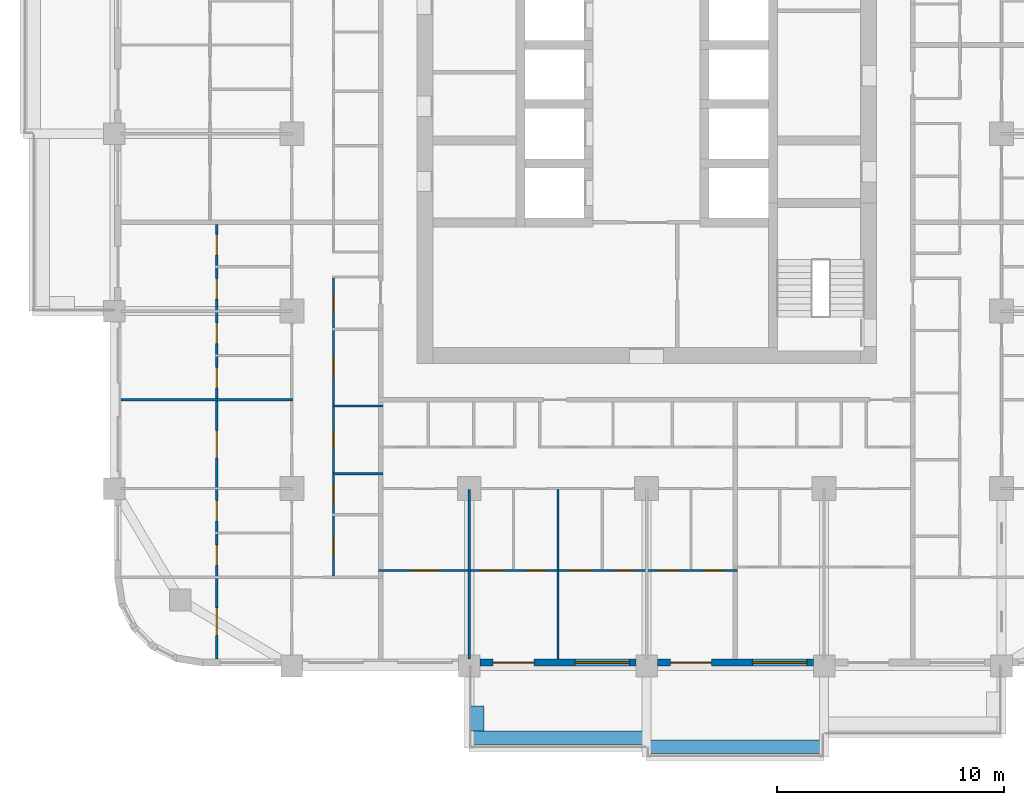
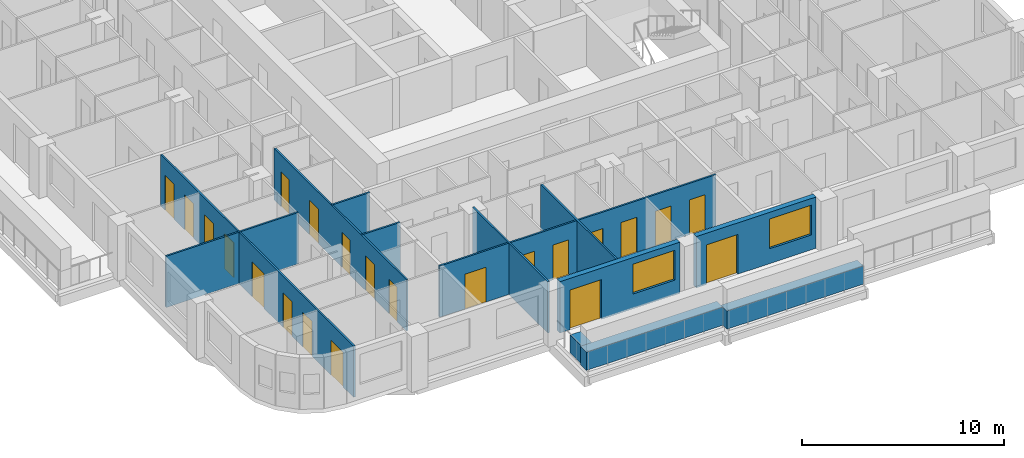
# One storey, part 3 of 17: 22 doors, 13 walls, 2 windows, 24 openings.
"""IFC4 building model written with IfcOpenShell, lengths in metres."""

from ifc_helpers import new_model, si_unit, direction, frame, frame_2d, origin, place, context, subcontext, project, spatial, rectangle, extrude, material, layer, layer_set, type_object, element, fill, save


model = new_model("IFC4")

# Units and contexts
model_context = context("Model", 3, precision=1e-05, world=origin(), true_north=direction((0.0, 1.0)))
body_context = subcontext(model_context, "Body", "Model", "MODEL_VIEW")
ifc_project = project(units=[si_unit("LENGTHUNIT", "METRE"), si_unit("AREAUNIT", "SQUARE_METRE"), si_unit("VOLUMEUNIT", "CUBIC_METRE"), si_unit("PLANEANGLEUNIT", "RADIAN"), si_unit("MASSUNIT", "GRAM", prefix="KILO")], contexts=[model_context])

# Site, building, storey
site_placement = place(None, origin())
site = spatial("IfcSite", under=ifc_project, at=site_placement, CompositionType="ELEMENT")
building_placement = place(site_placement, origin())
building = spatial("IfcBuilding", under=site, at=building_placement, Name="Ludao Terraces", CompositionType="ELEMENT")
storey_placement = place(building_placement, frame((0.0, 0.0, 92.0)))
storey = spatial("IfcBuildingStorey", under=building, at=storey_placement, Name="L25", CompositionType="ELEMENT", Elevation=92.0)

# Walls
ifc_material_1 = material(Name="Concrete C40", Category="concrete")
ifc_layer_1 = layer(ifc_material_1, 0.60009765625)
ifc_layer_set_1 = layer_set([ifc_layer_1], Name="ENV Planter trough 600")
wall_type_1 = type_object("IfcWallType", Name="ENV Planter trough 600", PredefinedType="USERDEFINED", material=ifc_layer_set_1)
wall_1_placement = place(storey_placement, frame((77.199951171875, 38.449951171875, 0.0), z_axis=(0.0, 0.0, 1.0), x_axis=(1.0, 0.0, 0.0)))
element("IfcWall", 1, at=wall_1_placement, inside=storey, type_object=wall_type_1, Name="PL-L25-S2", ObjectType="PLANTER", PredefinedType="USERDEFINED", context=body_context, shape_type="SweptSolid", body=[
    extrude(rectangle(XDim=7.800048828125, YDim=0.60009765625, at=frame_2d((3.89990234375, 0.0))), origin(), (0.0, 0.0, 1.0), 1.10009765625),
])
wall_2_placement = place(storey_placement, frame((77.550048828125, 38.75, 0.0), z_axis=(0.0, 0.0, 1.0), x_axis=(0.0, 1.0, 0.0)))
element("IfcWall", 2, at=wall_2_placement, inside=storey, type_object=wall_type_1, Name="PL-L25-S2-SA", ObjectType="PLANTER", PredefinedType="USERDEFINED", context=body_context, shape_type="SweptSolid", body=[
    extrude(rectangle(XDim=1.10009765625, YDim=0.60009765625, at=frame_2d((0.550048828125, 0.0))), origin(), (0.0, 0.0, 1.0), 1.10009765625),
])
wall_3_placement = place(storey_placement, frame((85.0, 38.050048828125, 0.0), z_axis=(0.0, 0.0, 1.0), x_axis=(1.0, 0.0, 0.0)))
element("IfcWall", 3, at=wall_3_placement, inside=storey, type_object=wall_type_1, Name="PL-L25-S3", ObjectType="PLANTER", PredefinedType="USERDEFINED", context=body_context, shape_type="SweptSolid", body=[
    extrude(rectangle(XDim=7.800048828125, YDim=0.60009765625, at=frame_2d((3.89990234375, 0.0))), origin(), (0.0, 0.0, 1.0), 1.10009765625),
])

# Wall, openings, door, window
ifc_material_2 = material(Name="Granite cladding", Category="masonry")
ifc_layer_2 = layer(ifc_material_2, 0.0400390625, Category="stone")
ifc_material_3 = material(Name="Mineral wool")
ifc_layer_3 = layer(ifc_material_3, 0.06005859375)
ifc_layer_4 = layer(ifc_material_1, 0.199951171875, Category="concrete")
ifc_layer_set_2 = layer_set([ifc_layer_2, ifc_layer_3, ifc_layer_4], Name="ENV Stone-clad wall 300")
wall_type_2 = type_object("IfcWallType", Name="ENV Stone-clad wall 300", PredefinedType="SOLIDWALL", material=ifc_layer_set_2)
wall_4_placement = place(storey_placement, frame((77.675048828125, 41.75, 0.0), z_axis=(0.0, 0.0, 1.0), x_axis=(1.0, 0.0, 0.0)))
wall_4 = element("IfcWall", 4, at=wall_4_placement, inside=storey, type_object=wall_type_2, Name="EW-L25-S3", PredefinedType="SOLIDWALL", context=body_context, shape_type="SweptSolid", body=[
    extrude(rectangle(XDim=6.849853515625, YDim=0.300048828125, at=frame_2d((3.4248046875, 0.0))), origin(), (0.0, 0.0, 1.0), 3.10009765625),
])
opening_1_placement = place(wall_4_placement, frame((0.574951171875, 0.0, 0.0)))
opening_1 = element("IfcOpeningElement", 5, at=opening_1_placement, cuts=wall_4, Name="Opening BD", PredefinedType="OPENING", context=body_context, shape_type="SweptSolid", body=[
    extrude(rectangle(XDim=1.800048828125, YDim=2.39990234375, at=frame_2d((0.89990234375, 1.199951171875))), frame((0.0, 0.16015625, 0.0), z_axis=(0.0, -1.0, 0.0), x_axis=(1.0, 0.0, 0.0)), (0.0, 0.0, 1.0), 0.320068359375),
])
opening_2_placement = place(wall_4_placement, frame((4.175048828125, 0.0, 0.89990234375)))
opening_2 = element("IfcOpeningElement", 6, at=opening_2_placement, cuts=wall_4, Name="Opening W1", PredefinedType="OPENING", context=body_context, shape_type="SweptSolid", body=[
    extrude(rectangle(XDim=2.39990234375, YDim=1.800048828125, at=frame_2d((1.199951171875, 0.89990234375))), frame((0.0, 0.16015625, 0.0), z_axis=(0.0, -1.0, 0.0), x_axis=(1.0, 0.0, 0.0)), (0.0, 0.0, 1.0), 0.320068359375),
])
ifc_material_4 = material(Name="Aluminium glazed door", Category="aluminium")
ifc_layer_5 = layer(ifc_material_4, 0.06005859375)
ifc_layer_set_3 = layer_set([ifc_layer_5], Name="ENV Balcony door BD 1800x2400")
door_type_1 = type_object("IfcDoorType", Name="ENV Balcony door BD 1800x2400", OperationType="DOUBLE_DOOR_SINGLE_SWING", PredefinedType="DOOR", material=ifc_layer_set_3)
door_1_placement = place(opening_1_placement, origin())
door_1 = element("IfcDoor", 7, at=door_1_placement, inside=storey, type_object=door_type_1, Name="BD-L25-S3-1", OperationType="DOUBLE_DOOR_SINGLE_SWING", OverallHeight=2.39990234375, OverallWidth=1.800048828125, PredefinedType="DOOR", context=body_context, shape_type="SweptSolid", body=[
    extrude(rectangle(XDim=1.800048828125, YDim=2.39990234375, at=frame_2d((0.89990234375, 1.199951171875))), frame((0.0, 0.02490234375, 0.0), z_axis=(0.0, -1.0, 0.0), x_axis=(1.0, 0.0, 0.0)), (0.0, 0.0, 1.0), 0.050048828125),
])
fill(opening_1, door_1)
ifc_material_5 = material(Name="Clear glass in aluminium frame", Category="aluminium")
ifc_layer_6 = layer(ifc_material_5, 0.06005859375)
ifc_layer_set_4 = layer_set([ifc_layer_6], Name="ENV Window W1 2400x1800")
window_type = type_object("IfcWindowType", Name="ENV Window W1 2400x1800", PartitioningType="DOUBLE_PANEL_VERTICAL", PredefinedType="WINDOW", material=ifc_layer_set_4)
window_1_placement = place(opening_2_placement, origin())
window_1 = element("IfcWindow", 8, at=window_1_placement, inside=storey, type_object=window_type, Name="W-L25-S3-2", OverallHeight=1.800048828125, OverallWidth=2.39990234375, PartitioningType="DOUBLE_PANEL_VERTICAL", PredefinedType="WINDOW", context=body_context, shape_type="SweptSolid", body=[
    extrude(rectangle(XDim=2.39990234375, YDim=1.800048828125, at=frame_2d((1.199951171875, 0.89990234375))), frame((0.0, 0.030029296875, 0.0), z_axis=(0.0, -1.0, 0.0), x_axis=(1.0, 0.0, 0.0)), (0.0, 0.0, 1.0), 0.06005859375),
])
fill(opening_2, window_1)

wall_5_placement = place(storey_placement, frame((85.47509765625, 41.75, 0.0), z_axis=(0.0, 0.0, 1.0), x_axis=(1.0, 0.0, 0.0)))
wall_5 = element("IfcWall", 9, at=wall_5_placement, inside=storey, type_object=wall_type_2, Name="EW-L25-S4", PredefinedType="SOLIDWALL", context=body_context, shape_type="SweptSolid", body=[
    extrude(rectangle(XDim=6.849853515625, YDim=0.300048828125, at=frame_2d((3.4248046875, 0.0))), origin(), (0.0, 0.0, 1.0), 3.10009765625),
])
opening_3_placement = place(wall_5_placement, frame((0.574951171875, 0.0, 0.0)))
opening_3 = element("IfcOpeningElement", 10, at=opening_3_placement, cuts=wall_5, Name="Opening BD", PredefinedType="OPENING", context=body_context, shape_type="SweptSolid", body=[
    extrude(rectangle(XDim=1.800048828125, YDim=2.39990234375, at=frame_2d((0.89990234375, 1.199951171875))), frame((0.0, 0.16015625, 0.0), z_axis=(0.0, -1.0, 0.0), x_axis=(1.0, 0.0, 0.0)), (0.0, 0.0, 1.0), 0.320068359375),
])
opening_4_placement = place(wall_5_placement, frame((4.175048828125, 0.0, 0.89990234375)))
opening_4 = element("IfcOpeningElement", 11, at=opening_4_placement, cuts=wall_5, Name="Opening W1", PredefinedType="OPENING", context=body_context, shape_type="SweptSolid", body=[
    extrude(rectangle(XDim=2.39990234375, YDim=1.800048828125, at=frame_2d((1.199951171875, 0.89990234375))), frame((0.0, 0.16015625, 0.0), z_axis=(0.0, -1.0, 0.0), x_axis=(1.0, 0.0, 0.0)), (0.0, 0.0, 1.0), 0.320068359375),
])
door_2_placement = place(opening_3_placement, origin())
door_2 = element("IfcDoor", 12, at=door_2_placement, inside=storey, type_object=door_type_1, Name="BD-L25-S4-1", OperationType="DOUBLE_DOOR_SINGLE_SWING", OverallHeight=2.39990234375, OverallWidth=1.800048828125, PredefinedType="DOOR", context=body_context, shape_type="SweptSolid", body=[
    extrude(rectangle(XDim=1.800048828125, YDim=2.39990234375, at=frame_2d((0.89990234375, 1.199951171875))), frame((0.0, 0.02490234375, 0.0), z_axis=(0.0, -1.0, 0.0), x_axis=(1.0, 0.0, 0.0)), (0.0, 0.0, 1.0), 0.050048828125),
])
fill(opening_3, door_2)
window_2_placement = place(opening_4_placement, origin())
window_2 = element("IfcWindow", 13, at=window_2_placement, inside=storey, type_object=window_type, Name="W-L25-S4-2", OverallHeight=1.800048828125, OverallWidth=2.39990234375, PartitioningType="DOUBLE_PANEL_VERTICAL", PredefinedType="WINDOW", context=body_context, shape_type="SweptSolid", body=[
    extrude(rectangle(XDim=2.39990234375, YDim=1.800048828125, at=frame_2d((1.199951171875, 0.89990234375))), frame((0.0, 0.030029296875, 0.0), z_axis=(0.0, -1.0, 0.0), x_axis=(1.0, 0.0, 0.0)), (0.0, 0.0, 1.0), 0.06005859375),
])
fill(opening_4, window_2)

# Wall, openings, doors
ifc_material_6 = material(Name="Gypsum plasterboard", Category="gypsum")
ifc_layer_7 = layer(ifc_material_6, 0.012451171875, Category="gypsum")
ifc_layer_8 = layer(ifc_material_3, 0.06005859375, Name="insulation")
ifc_material_7 = material(Name="Steel Q235", Category="steel")
ifc_layer_9 = layer(ifc_material_7, 0.014892578125, Name="stud")
ifc_layer_10 = layer(ifc_material_6, 0.012451171875, Category="gypsum")
ifc_layer_set_5 = layer_set([ifc_layer_7, ifc_layer_8, ifc_layer_9, ifc_layer_10], Name="INT Partition 100")
wall_type_3 = type_object("IfcWallType", Name="INT Partition 100", PredefinedType="PARTITIONING", material=ifc_layer_set_5)
wall_6_placement = place(storey_placement, frame((73.2001953125, 45.800048828125, 0.0), z_axis=(0.0, 0.0, 1.0), x_axis=(1.0, 0.0, 0.0)))
wall_6 = element("IfcWall", 14, at=wall_6_placement, inside=storey, type_object=wall_type_3, Name="PW-L25-PW002", PredefinedType="PARTITIONING", context=body_context, shape_type="SweptSolid", body=[
    extrude(rectangle(XDim=15.7998046875, YDim=0.10009765625, at=frame_2d((7.89990234375, 0.0))), origin(), (0.0, 0.0, 1.0), 3.10009765625),
])
opening_5_placement = place(wall_6_placement, frame((1.449951171875, 0.0, 0.0)))
opening_5 = element("IfcOpeningElement", 15, at=opening_5_placement, cuts=wall_6, Name="Opening R07-007", PredefinedType="OPENING", context=body_context, shape_type="SweptSolid", body=[
    extrude(rectangle(XDim=1.199951171875, YDim=2.10009765625, at=frame_2d((0.60009765625, 1.050048828125))), frame((0.0, 0.06005859375, 0.0), z_axis=(0.0, -1.0, 0.0), x_axis=(1.0, 0.0, 0.0)), (0.0, 0.0, 1.0), 0.1201171875),
])
opening_6_placement = place(wall_6_placement, frame((4.52490234375, 0.0, 0.0)))
opening_6 = element("IfcOpeningElement", 16, at=opening_6_placement, cuts=wall_6, Name="Opening R07-008", PredefinedType="OPENING", context=body_context, shape_type="SweptSolid", body=[
    extrude(rectangle(XDim=0.89990234375, YDim=2.10009765625, at=frame_2d((0.449951171875, 1.050048828125))), frame((0.0, 0.06005859375, 0.0), z_axis=(0.0, -1.0, 0.0), x_axis=(1.0, 0.0, 0.0)), (0.0, 0.0, 1.0), 0.1201171875),
])
opening_7_placement = place(wall_6_placement, frame((6.474853515625, 0.0, 0.0)))
opening_7 = element("IfcOpeningElement", 17, at=opening_7_placement, cuts=wall_6, Name="Opening R07-009", PredefinedType="OPENING", context=body_context, shape_type="SweptSolid", body=[
    extrude(rectangle(XDim=0.89990234375, YDim=2.10009765625, at=frame_2d((0.449951171875, 1.050048828125))), frame((0.0, 0.06005859375, 0.0), z_axis=(0.0, -1.0, 0.0), x_axis=(1.0, 0.0, 0.0)), (0.0, 0.0, 1.0), 0.1201171875),
])
opening_8_placement = place(wall_6_placement, frame((8.4248046875, 0.0, 0.0)))
opening_8 = element("IfcOpeningElement", 18, at=opening_8_placement, cuts=wall_6, Name="Opening R07-010", PredefinedType="OPENING", context=body_context, shape_type="SweptSolid", body=[
    extrude(rectangle(XDim=0.89990234375, YDim=2.10009765625, at=frame_2d((0.449951171875, 1.050048828125))), frame((0.0, 0.06005859375, 0.0), z_axis=(0.0, -1.0, 0.0), x_axis=(1.0, 0.0, 0.0)), (0.0, 0.0, 1.0), 0.1201171875),
])
opening_9_placement = place(wall_6_placement, frame((10.375, 0.0, 0.0)))
opening_9 = element("IfcOpeningElement", 19, at=opening_9_placement, cuts=wall_6, Name="Opening R07-011", PredefinedType="OPENING", context=body_context, shape_type="SweptSolid", body=[
    extrude(rectangle(XDim=0.89990234375, YDim=2.10009765625, at=frame_2d((0.449951171875, 1.050048828125))), frame((0.0, 0.06005859375, 0.0), z_axis=(0.0, -1.0, 0.0), x_axis=(1.0, 0.0, 0.0)), (0.0, 0.0, 1.0), 0.1201171875),
])
opening_10_placement = place(wall_6_placement, frame((12.324951171875, 0.0, 0.0)))
opening_10 = element("IfcOpeningElement", 20, at=opening_10_placement, cuts=wall_6, Name="Opening R07-012", PredefinedType="OPENING", context=body_context, shape_type="SweptSolid", body=[
    extrude(rectangle(XDim=0.89990234375, YDim=2.10009765625, at=frame_2d((0.449951171875, 1.050048828125))), frame((0.0, 0.06005859375, 0.0), z_axis=(0.0, -1.0, 0.0), x_axis=(1.0, 0.0, 0.0)), (0.0, 0.0, 1.0), 0.1201171875),
])
opening_11_placement = place(wall_6_placement, frame((14.27490234375, 0.0, 0.0)))
opening_11 = element("IfcOpeningElement", 21, at=opening_11_placement, cuts=wall_6, Name="Opening R07-013", PredefinedType="OPENING", context=body_context, shape_type="SweptSolid", body=[
    extrude(rectangle(XDim=0.89990234375, YDim=2.10009765625, at=frame_2d((0.449951171875, 1.050048828125))), frame((0.0, 0.06005859375, 0.0), z_axis=(0.0, -1.0, 0.0), x_axis=(1.0, 0.0, 0.0)), (0.0, 0.0, 1.0), 0.1201171875),
])
ifc_material_8 = material(Name="Timber door leaf", Category="wood")
door_type_2 = type_object("IfcDoorType", Name="INT Bathroom door 900", OperationType="SINGLE_SWING_LEFT", PredefinedType="DOOR", material=ifc_material_8)
door_3_placement = place(opening_6_placement, origin())
door_3 = element("IfcDoor", 22, at=door_3_placement, inside=storey, type_object=door_type_2, Name="DOOR 008", OperationType="SINGLE_SWING_LEFT", OverallHeight=2.10009765625, OverallWidth=0.89990234375, PredefinedType="DOOR", context=body_context, shape_type="SweptSolid", body=[
    extrude(rectangle(XDim=0.89990234375, YDim=2.10009765625, at=frame_2d((0.449951171875, 1.050048828125))), frame((0.0, 0.02490234375, 0.0), z_axis=(0.0, -1.0, 0.0), x_axis=(1.0, 0.0, 0.0)), (0.0, 0.0, 1.0), 0.050048828125),
])
fill(opening_6, door_3)
door_4_placement = place(opening_8_placement, origin())
door_4 = element("IfcDoor", 23, at=door_4_placement, inside=storey, type_object=door_type_2, Name="DOOR 010", OperationType="SINGLE_SWING_LEFT", OverallHeight=2.10009765625, OverallWidth=0.89990234375, PredefinedType="DOOR", context=body_context, shape_type="SweptSolid", body=[
    extrude(rectangle(XDim=0.89990234375, YDim=2.10009765625, at=frame_2d((0.449951171875, 1.050048828125))), frame((0.0, 0.02490234375, 0.0), z_axis=(0.0, -1.0, 0.0), x_axis=(1.0, 0.0, 0.0)), (0.0, 0.0, 1.0), 0.050048828125),
])
fill(opening_8, door_4)
door_5_placement = place(opening_10_placement, origin())
door_5 = element("IfcDoor", 24, at=door_5_placement, inside=storey, type_object=door_type_2, Name="DOOR 012", OperationType="SINGLE_SWING_LEFT", OverallHeight=2.10009765625, OverallWidth=0.89990234375, PredefinedType="DOOR", context=body_context, shape_type="SweptSolid", body=[
    extrude(rectangle(XDim=0.89990234375, YDim=2.10009765625, at=frame_2d((0.449951171875, 1.050048828125))), frame((0.0, 0.02490234375, 0.0), z_axis=(0.0, -1.0, 0.0), x_axis=(1.0, 0.0, 0.0)), (0.0, 0.0, 1.0), 0.050048828125),
])
fill(opening_10, door_5)
door_type_3 = type_object("IfcDoorType", Name="INT Double door 1200", OperationType="DOUBLE_DOOR_SINGLE_SWING", PredefinedType="DOOR", material=ifc_material_8)
door_6_placement = place(opening_5_placement, origin())
door_6 = element("IfcDoor", 25, at=door_6_placement, inside=storey, type_object=door_type_3, Name="DOOR 007", OperationType="DOUBLE_DOOR_SINGLE_SWING", OverallHeight=2.10009765625, OverallWidth=1.199951171875, PredefinedType="DOOR", context=body_context, shape_type="SweptSolid", body=[
    extrude(rectangle(XDim=1.199951171875, YDim=2.10009765625, at=frame_2d((0.60009765625, 1.050048828125))), frame((0.0, 0.02490234375, 0.0), z_axis=(0.0, -1.0, 0.0), x_axis=(1.0, 0.0, 0.0)), (0.0, 0.0, 1.0), 0.050048828125),
])
fill(opening_5, door_6)
door_type_4 = type_object("IfcDoorType", Name="INT Room door 900", OperationType="SINGLE_SWING_LEFT", PredefinedType="DOOR", material=ifc_material_8)
door_7_placement = place(opening_7_placement, origin())
door_7 = element("IfcDoor", 26, at=door_7_placement, inside=storey, type_object=door_type_4, Name="DOOR 009", OperationType="SINGLE_SWING_LEFT", OverallHeight=2.10009765625, OverallWidth=0.89990234375, PredefinedType="DOOR", context=body_context, shape_type="SweptSolid", body=[
    extrude(rectangle(XDim=0.89990234375, YDim=2.10009765625, at=frame_2d((0.449951171875, 1.050048828125))), frame((0.0, 0.02490234375, 0.0), z_axis=(0.0, -1.0, 0.0), x_axis=(1.0, 0.0, 0.0)), (0.0, 0.0, 1.0), 0.050048828125),
])
fill(opening_7, door_7)
door_8_placement = place(opening_9_placement, origin())
door_8 = element("IfcDoor", 27, at=door_8_placement, inside=storey, type_object=door_type_4, Name="DOOR 011", OperationType="SINGLE_SWING_LEFT", OverallHeight=2.10009765625, OverallWidth=0.89990234375, PredefinedType="DOOR", context=body_context, shape_type="SweptSolid", body=[
    extrude(rectangle(XDim=0.89990234375, YDim=2.10009765625, at=frame_2d((0.449951171875, 1.050048828125))), frame((0.0, 0.02490234375, 0.0), z_axis=(0.0, -1.0, 0.0), x_axis=(1.0, 0.0, 0.0)), (0.0, 0.0, 1.0), 0.050048828125),
])
fill(opening_9, door_8)
door_9_placement = place(opening_11_placement, origin())
door_9 = element("IfcDoor", 28, at=door_9_placement, inside=storey, type_object=door_type_4, Name="DOOR 013", OperationType="SINGLE_SWING_RIGHT", OverallHeight=2.10009765625, OverallWidth=0.89990234375, PredefinedType="DOOR", context=body_context, shape_type="SweptSolid", body=[
    extrude(rectangle(XDim=0.89990234375, YDim=2.10009765625, at=frame_2d((0.449951171875, 1.050048828125))), frame((0.0, 0.02490234375, 0.0), z_axis=(0.0, -1.0, 0.0), x_axis=(1.0, 0.0, 0.0)), (0.0, 0.0, 1.0), 0.050048828125),
])
fill(opening_11, door_9)

# Walls
for number, where, z_axis, x_axis, name in (
    (29, (71.18017578125, 50.050048828125, 0.0), (0.0, 0.0, 1.0), (1.0, 0.0, 0.0), "PW-L25-PW010"),
    (30, (71.18017578125, 53.030029296875, 0.0), (0.0, 0.0, 1.0), (1.0, 0.0, 0.0), "PW-L25-PW015"),
):
    element("IfcWall", number, at=place(storey_placement, frame(where, z_axis=z_axis, x_axis=x_axis)), inside=storey, type_object=wall_type_3, Name=name, PredefinedType="PARTITIONING", context=body_context, shape_type="SweptSolid", body=[
        extrude(rectangle(XDim=2.219970703125, YDim=0.10009765625, at=frame_2d((1.10986328125, 0.0))), origin(), (0.0, 0.0, 1.0), 3.10009765625),
    ])
wall_7_placement = place(storey_placement, frame((61.900146484375, 53.300048828125, 0.0), z_axis=(0.0, 0.0, 1.0), x_axis=(1.0, 0.0, 0.0)))
element("IfcWall", 31, at=wall_7_placement, inside=storey, type_object=wall_type_3, Name="PW-L25-PW016", PredefinedType="PARTITIONING", context=body_context, shape_type="SweptSolid", body=[
    extrude(rectangle(XDim=7.550048828125, YDim=0.10009765625, at=frame_2d((3.77490234375, 0.0))), origin(), (0.0, 0.0, 1.0), 3.10009765625),
])

# Wall, openings, doors
wall_8_placement = place(storey_placement, frame((66.10009765625, 41.900146484375, 0.0), z_axis=(0.0, 0.0, 1.0), x_axis=(0.0, 1.0, 0.0)))
wall_8 = element("IfcWall", 32, at=wall_8_placement, inside=storey, type_object=wall_type_3, Name="PW-L25-PW080", PredefinedType="PARTITIONING", context=body_context, shape_type="SweptSolid", body=[
    extrude(rectangle(XDim=19.099853515625, YDim=0.10009765625, at=frame_2d((9.5498046875, 0.0))), origin(), (0.0, 0.0, 1.0), 3.10009765625),
])
opening_12_placement = place(wall_8_placement, frame((1.050048828125, 0.0, 0.0)))
opening_12 = element("IfcOpeningElement", 33, at=opening_12_placement, cuts=wall_8, Name="Opening R07-001", PredefinedType="OPENING", context=body_context, shape_type="SweptSolid", body=[
    extrude(rectangle(XDim=1.199951171875, YDim=2.10009765625, at=frame_2d((0.60009765625, 1.050048828125))), frame((0.0, 0.06005859375, 0.0), z_axis=(0.0, -1.0, 0.0), x_axis=(1.0, 0.0, 0.0)), (0.0, 0.0, 1.0), 0.1201171875),
])
opening_13_placement = place(wall_8_placement, frame((4.125, 0.0, 0.0)))
opening_13 = element("IfcOpeningElement", 34, at=opening_13_placement, cuts=wall_8, Name="Opening R07-018", PredefinedType="OPENING", context=body_context, shape_type="SweptSolid", body=[
    extrude(rectangle(XDim=0.89990234375, YDim=2.10009765625, at=frame_2d((0.449951171875, 1.050048828125))), frame((0.0, 0.06005859375, 0.0), z_axis=(0.0, -1.0, 0.0), x_axis=(1.0, 0.0, 0.0)), (0.0, 0.0, 1.0), 0.1201171875),
])
opening_14_placement = place(wall_8_placement, frame((6.074951171875, 0.0, 0.0)))
opening_14 = element("IfcOpeningElement", 35, at=opening_14_placement, cuts=wall_8, Name="Opening R07-023", PredefinedType="OPENING", context=body_context, shape_type="SweptSolid", body=[
    extrude(rectangle(XDim=0.89990234375, YDim=2.10009765625, at=frame_2d((0.449951171875, 1.050048828125))), frame((0.0, 0.06005859375, 0.0), z_axis=(0.0, -1.0, 0.0), x_axis=(1.0, 0.0, 0.0)), (0.0, 0.0, 1.0), 0.1201171875),
])
opening_15_placement = place(wall_8_placement, frame((8.85009765625, 0.0, 0.0)))
opening_15 = element("IfcOpeningElement", 36, at=opening_15_placement, cuts=wall_8, Name="Opening R07-041", PredefinedType="OPENING", context=body_context, shape_type="SweptSolid", body=[
    extrude(rectangle(XDim=1.199951171875, YDim=2.10009765625, at=frame_2d((0.60009765625, 1.050048828125))), frame((0.0, 0.06005859375, 0.0), z_axis=(0.0, -1.0, 0.0), x_axis=(1.0, 0.0, 0.0)), (0.0, 0.0, 1.0), 0.1201171875),
])
opening_16_placement = place(wall_8_placement, frame((11.925048828125, 0.0, 0.0)))
opening_16 = element("IfcOpeningElement", 37, at=opening_16_placement, cuts=wall_8, Name="Opening R07-049", PredefinedType="OPENING", context=body_context, shape_type="SweptSolid", body=[
    extrude(rectangle(XDim=0.89990234375, YDim=2.10009765625, at=frame_2d((0.449951171875, 1.050048828125))), frame((0.0, 0.06005859375, 0.0), z_axis=(0.0, -1.0, 0.0), x_axis=(1.0, 0.0, 0.0)), (0.0, 0.0, 1.0), 0.1201171875),
])
opening_17_placement = place(wall_8_placement, frame((13.875, 0.0, 0.0)))
opening_17 = element("IfcOpeningElement", 38, at=opening_17_placement, cuts=wall_8, Name="Opening R07-056", PredefinedType="OPENING", context=body_context, shape_type="SweptSolid", body=[
    extrude(rectangle(XDim=0.89990234375, YDim=2.10009765625, at=frame_2d((0.449951171875, 1.050048828125))), frame((0.0, 0.06005859375, 0.0), z_axis=(0.0, -1.0, 0.0), x_axis=(1.0, 0.0, 0.0)), (0.0, 0.0, 1.0), 0.1201171875),
])
opening_18_placement = place(wall_8_placement, frame((15.824951171875, 0.0, 0.0)))
opening_18 = element("IfcOpeningElement", 39, at=opening_18_placement, cuts=wall_8, Name="Opening R07-064", PredefinedType="OPENING", context=body_context, shape_type="SweptSolid", body=[
    extrude(rectangle(XDim=0.89990234375, YDim=2.10009765625, at=frame_2d((0.449951171875, 1.050048828125))), frame((0.0, 0.06005859375, 0.0), z_axis=(0.0, -1.0, 0.0), x_axis=(1.0, 0.0, 0.0)), (0.0, 0.0, 1.0), 0.1201171875),
])
opening_19_placement = place(wall_8_placement, frame((17.77490234375, 0.0, 0.0)))
opening_19 = element("IfcOpeningElement", 40, at=opening_19_placement, cuts=wall_8, Name="Opening R07-066", PredefinedType="OPENING", context=body_context, shape_type="SweptSolid", body=[
    extrude(rectangle(XDim=0.89990234375, YDim=2.10009765625, at=frame_2d((0.449951171875, 1.050048828125))), frame((0.0, 0.06005859375, 0.0), z_axis=(0.0, -1.0, 0.0), x_axis=(1.0, 0.0, 0.0)), (0.0, 0.0, 1.0), 0.1201171875),
])
door_10_placement = place(opening_13_placement, origin())
door_10 = element("IfcDoor", 41, at=door_10_placement, inside=storey, type_object=door_type_2, Name="DOOR 018", OperationType="SINGLE_SWING_RIGHT", OverallHeight=2.10009765625, OverallWidth=0.89990234375, PredefinedType="DOOR", context=body_context, shape_type="SweptSolid", body=[
    extrude(rectangle(XDim=0.89990234375, YDim=2.10009765625, at=frame_2d((0.449951171875, 1.050048828125))), frame((0.0, 0.02490234375, 0.0), z_axis=(0.0, -1.0, 0.0), x_axis=(1.0, 0.0, 0.0)), (0.0, 0.0, 1.0), 0.050048828125),
])
fill(opening_13, door_10)
door_11_placement = place(opening_16_placement, origin())
door_11 = element("IfcDoor", 42, at=door_11_placement, inside=storey, type_object=door_type_2, Name="DOOR 049", OperationType="SINGLE_SWING_RIGHT", OverallHeight=2.10009765625, OverallWidth=0.89990234375, PredefinedType="DOOR", context=body_context, shape_type="SweptSolid", body=[
    extrude(rectangle(XDim=0.89990234375, YDim=2.10009765625, at=frame_2d((0.449951171875, 1.050048828125))), frame((0.0, 0.02490234375, 0.0), z_axis=(0.0, -1.0, 0.0), x_axis=(1.0, 0.0, 0.0)), (0.0, 0.0, 1.0), 0.050048828125),
])
fill(opening_16, door_11)
door_12_placement = place(opening_18_placement, origin())
door_12 = element("IfcDoor", 43, at=door_12_placement, inside=storey, type_object=door_type_2, Name="DOOR 064", OperationType="SINGLE_SWING_RIGHT", OverallHeight=2.10009765625, OverallWidth=0.89990234375, PredefinedType="DOOR", context=body_context, shape_type="SweptSolid", body=[
    extrude(rectangle(XDim=0.89990234375, YDim=2.10009765625, at=frame_2d((0.449951171875, 1.050048828125))), frame((0.0, 0.02490234375, 0.0), z_axis=(0.0, -1.0, 0.0), x_axis=(1.0, 0.0, 0.0)), (0.0, 0.0, 1.0), 0.050048828125),
])
fill(opening_18, door_12)
door_13_placement = place(opening_12_placement, origin())
door_13 = element("IfcDoor", 44, at=door_13_placement, inside=storey, type_object=door_type_3, Name="DOOR 001", OperationType="DOUBLE_DOOR_SINGLE_SWING", OverallHeight=2.10009765625, OverallWidth=1.199951171875, PredefinedType="DOOR", context=body_context, shape_type="SweptSolid", body=[
    extrude(rectangle(XDim=1.199951171875, YDim=2.10009765625, at=frame_2d((0.60009765625, 1.050048828125))), frame((0.0, 0.02490234375, 0.0), z_axis=(0.0, -1.0, 0.0), x_axis=(1.0, 0.0, 0.0)), (0.0, 0.0, 1.0), 0.050048828125),
])
fill(opening_12, door_13)
door_14_placement = place(opening_15_placement, origin())
door_14 = element("IfcDoor", 45, at=door_14_placement, inside=storey, type_object=door_type_3, Name="DOOR 041", OperationType="DOUBLE_DOOR_SINGLE_SWING", OverallHeight=2.10009765625, OverallWidth=1.199951171875, PredefinedType="DOOR", context=body_context, shape_type="SweptSolid", body=[
    extrude(rectangle(XDim=1.199951171875, YDim=2.10009765625, at=frame_2d((0.60009765625, 1.050048828125))), frame((0.0, 0.02490234375, 0.0), z_axis=(0.0, -1.0, 0.0), x_axis=(1.0, 0.0, 0.0)), (0.0, 0.0, 1.0), 0.050048828125),
])
fill(opening_15, door_14)
door_15_placement = place(opening_14_placement, origin())
door_15 = element("IfcDoor", 46, at=door_15_placement, inside=storey, type_object=door_type_4, Name="DOOR 023", OperationType="SINGLE_SWING_LEFT", OverallHeight=2.10009765625, OverallWidth=0.89990234375, PredefinedType="DOOR", context=body_context, shape_type="SweptSolid", body=[
    extrude(rectangle(XDim=0.89990234375, YDim=2.10009765625, at=frame_2d((0.449951171875, 1.050048828125))), frame((0.0, 0.02490234375, 0.0), z_axis=(0.0, -1.0, 0.0), x_axis=(1.0, 0.0, 0.0)), (0.0, 0.0, 1.0), 0.050048828125),
])
fill(opening_14, door_15)
door_16_placement = place(opening_17_placement, origin())
door_16 = element("IfcDoor", 47, at=door_16_placement, inside=storey, type_object=door_type_4, Name="DOOR 056", OperationType="SINGLE_SWING_LEFT", OverallHeight=2.10009765625, OverallWidth=0.89990234375, PredefinedType="DOOR", context=body_context, shape_type="SweptSolid", body=[
    extrude(rectangle(XDim=0.89990234375, YDim=2.10009765625, at=frame_2d((0.449951171875, 1.050048828125))), frame((0.0, 0.02490234375, 0.0), z_axis=(0.0, -1.0, 0.0), x_axis=(1.0, 0.0, 0.0)), (0.0, 0.0, 1.0), 0.050048828125),
])
fill(opening_17, door_16)
door_17_placement = place(opening_19_placement, origin())
door_17 = element("IfcDoor", 48, at=door_17_placement, inside=storey, type_object=door_type_4, Name="DOOR 066", OperationType="SINGLE_SWING_RIGHT", OverallHeight=2.10009765625, OverallWidth=0.89990234375, PredefinedType="DOOR", context=body_context, shape_type="SweptSolid", body=[
    extrude(rectangle(XDim=0.89990234375, YDim=2.10009765625, at=frame_2d((0.449951171875, 1.050048828125))), frame((0.0, 0.02490234375, 0.0), z_axis=(0.0, -1.0, 0.0), x_axis=(1.0, 0.0, 0.0)), (0.0, 0.0, 1.0), 0.050048828125),
])
fill(opening_19, door_17)

wall_9_placement = place(storey_placement, frame((71.22998046875, 45.550048828125, 0.0), z_axis=(0.0, 0.0, 1.0), x_axis=(0.0, 1.0, 0.0)))
wall_9 = element("IfcWall", 49, at=wall_9_placement, inside=storey, type_object=wall_type_3, Name="PW-L25-PW083", PredefinedType="PARTITIONING", context=body_context, shape_type="SweptSolid", body=[
    extrude(rectangle(XDim=13.10009765625, YDim=0.10009765625, at=frame_2d((6.550048828125, 0.0))), origin(), (0.0, 0.0, 1.0), 3.10009765625),
])
opening_20_placement = place(wall_9_placement, frame((0.925048828125, 0.0, 0.0)))
opening_20 = element("IfcOpeningElement", 50, at=opening_20_placement, cuts=wall_9, Name="Opening R07-019", PredefinedType="OPENING", context=body_context, shape_type="SweptSolid", body=[
    extrude(rectangle(XDim=0.800048828125, YDim=2.10009765625, at=frame_2d((0.39990234375, 1.050048828125))), frame((0.0, 0.06005859375, 0.0), z_axis=(0.0, -1.0, 0.0), x_axis=(1.0, 0.0, 0.0)), (0.0, 0.0, 1.0), 0.1201171875),
])
opening_21_placement = place(wall_9_placement, frame((3.14990234375, 0.0, 0.0)))
opening_21 = element("IfcOpeningElement", 51, at=opening_21_placement, cuts=wall_9, Name="Opening R07-025", PredefinedType="OPENING", context=body_context, shape_type="SweptSolid", body=[
    extrude(rectangle(XDim=0.89990234375, YDim=2.10009765625, at=frame_2d((0.449951171875, 1.050048828125))), frame((0.0, 0.06005859375, 0.0), z_axis=(0.0, -1.0, 0.0), x_axis=(1.0, 0.0, 0.0)), (0.0, 0.0, 1.0), 0.1201171875),
])
opening_22_placement = place(wall_9_placement, frame((5.590087890625, 0.0, 0.0)))
opening_22 = element("IfcOpeningElement", 52, at=opening_22_placement, cuts=wall_9, Name="Opening R07-045", PredefinedType="OPENING", context=body_context, shape_type="SweptSolid", body=[
    extrude(rectangle(XDim=0.800048828125, YDim=2.10009765625, at=frame_2d((0.39990234375, 1.050048828125))), frame((0.0, 0.06005859375, 0.0), z_axis=(0.0, -1.0, 0.0), x_axis=(1.0, 0.0, 0.0)), (0.0, 0.0, 1.0), 0.1201171875),
])
opening_23_placement = place(wall_9_placement, frame((8.715087890625, 0.0, 0.0)))
opening_23 = element("IfcOpeningElement", 53, at=opening_23_placement, cuts=wall_9, Name="Opening R07-051", PredefinedType="OPENING", context=body_context, shape_type="SweptSolid", body=[
    extrude(rectangle(XDim=0.89990234375, YDim=2.10009765625, at=frame_2d((0.449951171875, 1.050048828125))), frame((0.0, 0.06005859375, 0.0), z_axis=(0.0, -1.0, 0.0), x_axis=(1.0, 0.0, 0.0)), (0.0, 0.0, 1.0), 0.1201171875),
])
opening_24_placement = place(wall_9_placement, frame((11.60009765625, 0.0, 0.0)))
opening_24 = element("IfcOpeningElement", 54, at=opening_24_placement, cuts=wall_9, Name="Opening R07-060", PredefinedType="OPENING", context=body_context, shape_type="SweptSolid", body=[
    extrude(rectangle(XDim=0.800048828125, YDim=2.10009765625, at=frame_2d((0.39990234375, 1.050048828125))), frame((0.0, 0.06005859375, 0.0), z_axis=(0.0, -1.0, 0.0), x_axis=(1.0, 0.0, 0.0)), (0.0, 0.0, 1.0), 0.1201171875),
])
door_18_placement = place(opening_21_placement, origin())
door_18 = element("IfcDoor", 55, at=door_18_placement, inside=storey, type_object=door_type_2, Name="DOOR 025", OperationType="SINGLE_SWING_RIGHT", OverallHeight=2.10009765625, OverallWidth=0.89990234375, PredefinedType="DOOR", context=body_context, shape_type="SweptSolid", body=[
    extrude(rectangle(XDim=0.89990234375, YDim=2.10009765625, at=frame_2d((0.449951171875, 1.050048828125))), frame((0.0, 0.02490234375, 0.0), z_axis=(0.0, -1.0, 0.0), x_axis=(1.0, 0.0, 0.0)), (0.0, 0.0, 1.0), 0.050048828125),
])
fill(opening_21, door_18)
door_19_placement = place(opening_23_placement, origin())
door_19 = element("IfcDoor", 56, at=door_19_placement, inside=storey, type_object=door_type_4, Name="DOOR 051", OperationType="SINGLE_SWING_LEFT", OverallHeight=2.10009765625, OverallWidth=0.89990234375, PredefinedType="DOOR", context=body_context, shape_type="SweptSolid", body=[
    extrude(rectangle(XDim=0.89990234375, YDim=2.10009765625, at=frame_2d((0.449951171875, 1.050048828125))), frame((0.0, 0.02490234375, 0.0), z_axis=(0.0, -1.0, 0.0), x_axis=(1.0, 0.0, 0.0)), (0.0, 0.0, 1.0), 0.050048828125),
])
fill(opening_23, door_19)
door_type_5 = type_object("IfcDoorType", Name="INT Store door 800", OperationType="SINGLE_SWING_LEFT", PredefinedType="DOOR", material=ifc_material_8)
door_20_placement = place(opening_20_placement, origin())
door_20 = element("IfcDoor", 57, at=door_20_placement, inside=storey, type_object=door_type_5, Name="DOOR 019", OperationType="SINGLE_SWING_RIGHT", OverallHeight=2.10009765625, OverallWidth=0.800048828125, PredefinedType="DOOR", context=body_context, shape_type="SweptSolid", body=[
    extrude(rectangle(XDim=0.800048828125, YDim=2.10009765625, at=frame_2d((0.39990234375, 1.050048828125))), frame((0.0, 0.02490234375, 0.0), z_axis=(0.0, -1.0, 0.0), x_axis=(1.0, 0.0, 0.0)), (0.0, 0.0, 1.0), 0.050048828125),
])
fill(opening_20, door_20)
door_21_placement = place(opening_22_placement, origin())
door_21 = element("IfcDoor", 58, at=door_21_placement, inside=storey, type_object=door_type_5, Name="DOOR 045", OperationType="SINGLE_SWING_LEFT", OverallHeight=2.10009765625, OverallWidth=0.800048828125, PredefinedType="DOOR", context=body_context, shape_type="SweptSolid", body=[
    extrude(rectangle(XDim=0.800048828125, YDim=2.10009765625, at=frame_2d((0.39990234375, 1.050048828125))), frame((0.0, 0.02490234375, 0.0), z_axis=(0.0, -1.0, 0.0), x_axis=(1.0, 0.0, 0.0)), (0.0, 0.0, 1.0), 0.050048828125),
])
fill(opening_22, door_21)
door_22_placement = place(opening_24_placement, origin())
door_22 = element("IfcDoor", 59, at=door_22_placement, inside=storey, type_object=door_type_5, Name="DOOR 060", OperationType="SINGLE_SWING_RIGHT", OverallHeight=2.10009765625, OverallWidth=0.800048828125, PredefinedType="DOOR", context=body_context, shape_type="SweptSolid", body=[
    extrude(rectangle(XDim=0.800048828125, YDim=2.10009765625, at=frame_2d((0.39990234375, 1.050048828125))), frame((0.0, 0.02490234375, 0.0), z_axis=(0.0, -1.0, 0.0), x_axis=(1.0, 0.0, 0.0)), (0.0, 0.0, 1.0), 0.050048828125),
])
fill(opening_24, door_22)

# Walls
for number, where, z_axis, x_axis, name in (
    (60, (77.199951171875, 41.900146484375, 0.0), (0.0, 0.0, 1.0), (0.0, 1.0, 0.0), "PW-L25-PW091"),
    (61, (81.10009765625, 41.900146484375, 0.0), (0.0, 0.0, 1.0), (0.0, 1.0, 0.0), "PW-L25-PW097"),
):
    element("IfcWall", number, at=place(storey_placement, frame(where, z_axis=z_axis, x_axis=x_axis)), inside=storey, type_object=wall_type_3, Name=name, PredefinedType="PARTITIONING", context=body_context, shape_type="SweptSolid", body=[
        extrude(rectangle(XDim=7.449951171875, YDim=0.10009765625, at=frame_2d((3.72509765625, 0.0))), origin(), (0.0, 0.0, 1.0), 3.10009765625),
    ])

save(model, "model.ifc")
